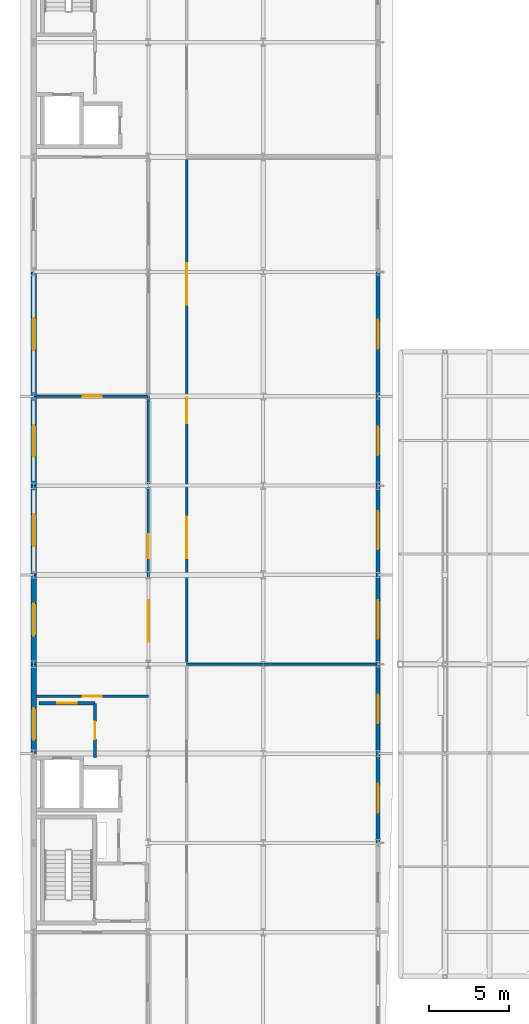
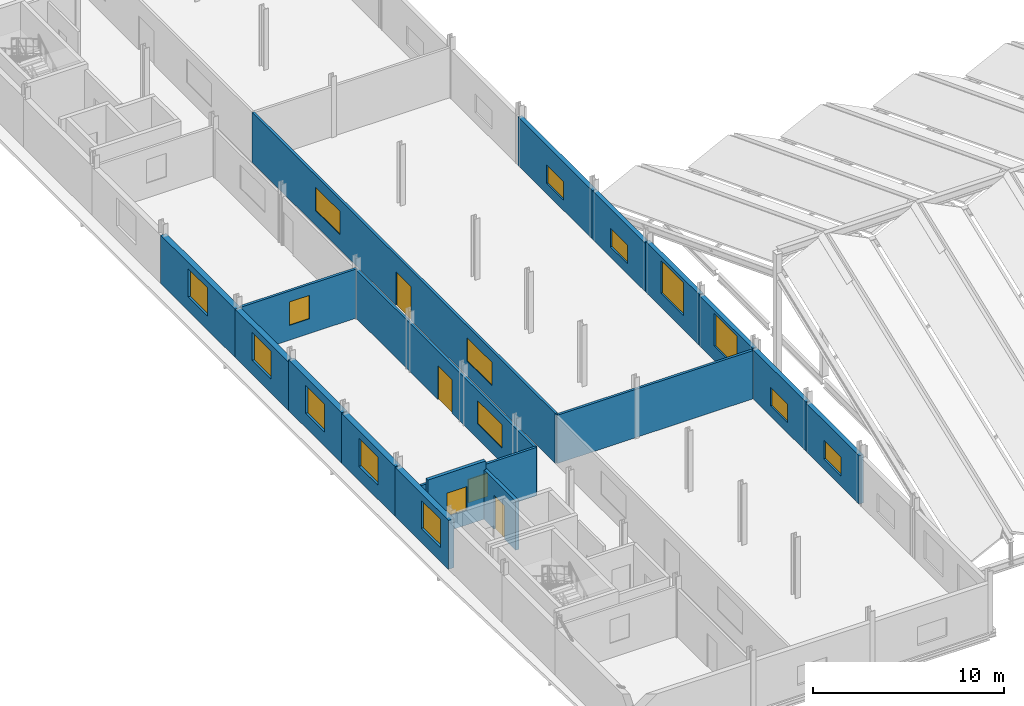
# One storey, part 40 of 49: 18 walls, 17 windows, 3 doors, 20 openings.
"""IFC4 building model written with IfcOpenShell, lengths in metres."""

from ifc_helpers import new_model, si_unit, direction, frame, frame_2d, origin, place, context, subcontext, project, spatial, rectangle, extrude, material, layer, layer_set, type_object, element, fill, save


model = new_model("IFC4")

# Units and contexts
model_context = context("Model", 3, precision=1e-05, world=origin(), true_north=direction((0.0, 1.0)))
body_context = subcontext(model_context, "Body", "Model", "MODEL_VIEW")
ifc_project = project(units=[si_unit("LENGTHUNIT", "METRE"), si_unit("AREAUNIT", "SQUARE_METRE"), si_unit("VOLUMEUNIT", "CUBIC_METRE"), si_unit("PLANEANGLEUNIT", "RADIAN"), si_unit("MASSUNIT", "GRAM", prefix="KILO")], contexts=[model_context])

# Site, building, storey
site_placement = place(None, origin())
site = spatial("IfcSite", under=ifc_project, at=site_placement, CompositionType="ELEMENT")
building_placement = place(site_placement, origin())
building = spatial("IfcBuilding", under=site, at=building_placement, Name="Vinh Khe Railworks Police Headquarters", CompositionType="ELEMENT")
storey_placement = place(building_placement, frame((0.0, 0.0, 17.10009765625)))
storey = spatial("IfcBuildingStorey", under=building, at=storey_placement, Name="L04", CompositionType="ELEMENT", Elevation=17.10009765625)

# Wall, opening, window
ifc_material_1 = material(Name="Clay brickwork", Category="masonry")
ifc_layer_1 = layer(ifc_material_1, 0.260009765625)
ifc_layer_set_1 = layer_set([ifc_layer_1], Name="Clay brickwork")
wall_type_1 = type_object("IfcWallType", Name="EW-BRK-260", PredefinedType="SOLIDWALL", material=ifc_layer_set_1)
wall_1_placement = place(storey_placement, frame((22.199951171875, 30.800048828125, 0.0), z_axis=(0.0, 0.0, 1.0), x_axis=(0.0, 1.0, 0.0)))
wall_1 = element("IfcWall", 1, at=wall_1_placement, inside=storey, type_object=wall_type_1, Name="Exterior Brick Wall EW-L04-V5E-03", PredefinedType="SOLIDWALL", context=body_context, shape_type="SweptSolid", body=[
    extrude(rectangle(XDim=5.599853515625, YDim=0.260009765625, at=frame_2d((2.7998046875, 0.0))), origin(), (0.0, 0.0, 1.0), 3.094970703125),
])
opening_1_placement = place(wall_1_placement, frame((1.89990234375, 0.0, 0.64990234375)))
opening_1 = element("IfcOpeningElement", 2, at=opening_1_placement, cuts=wall_1, Name="Opening WN-08", PredefinedType="OPENING", context=body_context, shape_type="SweptSolid", body=[
    extrude(rectangle(XDim=1.800048828125, YDim=1.199951171875, at=frame_2d((0.89990234375, 0.60009765625))), frame((0.0, 0.14501953125, 0.0), z_axis=(0.0, -1.0, 0.0), x_axis=(1.0, 0.0, 0.0)), (0.0, 0.0, 1.0), 0.289794921875),
])
ifc_material_2 = material(Name="Double-glazed solar-control glass in dark steel frame", Category="steel")
window_type_1 = type_object("IfcWindowType", Name="WIN-WN-08", PartitioningType="SINGLE_PANEL", PredefinedType="WINDOW", material=ifc_material_2)
window_1_placement = place(opening_1_placement, origin())
window_1 = element("IfcWindow", 3, at=window_1_placement, inside=storey, type_object=window_type_1, Name="Casement Window WN-08", OverallHeight=1.199951171875, OverallWidth=1.800048828125, PartitioningType="SINGLE_PANEL", PredefinedType="WINDOW", context=body_context, shape_type="SweptSolid", body=[
    extrude(rectangle(XDim=1.800048828125, YDim=1.199951171875, at=frame_2d((0.89990234375, 0.60009765625))), frame((0.0, 0.030029296875, 0.0), z_axis=(0.0, -1.0, 0.0), x_axis=(1.0, 0.0, 0.0)), (0.0, 0.0, 1.0), 0.06005859375),
])
fill(opening_1, window_1)

wall_2_placement = place(storey_placement, frame((22.199951171875, 36.39990234375, 0.0), z_axis=(0.0, 0.0, 1.0), x_axis=(0.0, 1.0, 0.0)))
wall_2 = element("IfcWall", 4, at=wall_2_placement, inside=storey, type_object=wall_type_1, Name="Exterior Brick Wall EW-L04-V5E-04", PredefinedType="SOLIDWALL", context=body_context, shape_type="SweptSolid", body=[
    extrude(rectangle(XDim=5.60009765625, YDim=0.260009765625, at=frame_2d((2.800048828125, 0.0))), origin(), (0.0, 0.0, 1.0), 3.14501953125),
])
opening_2_placement = place(wall_2_placement, frame((1.89990234375, 0.0, 0.64990234375)))
opening_2 = element("IfcOpeningElement", 5, at=opening_2_placement, cuts=wall_2, Name="Opening WN-08", PredefinedType="OPENING", context=body_context, shape_type="SweptSolid", body=[
    extrude(rectangle(XDim=1.800048828125, YDim=1.199951171875, at=frame_2d((0.89990234375, 0.60009765625))), frame((0.0, 0.14501953125, 0.0), z_axis=(0.0, -1.0, 0.0), x_axis=(1.0, 0.0, 0.0)), (0.0, 0.0, 1.0), 0.289794921875),
])
window_2_placement = place(opening_2_placement, origin())
window_2 = element("IfcWindow", 6, at=window_2_placement, inside=storey, type_object=window_type_1, Name="Casement Window WN-08", OverallHeight=1.199951171875, OverallWidth=1.800048828125, PartitioningType="SINGLE_PANEL", PredefinedType="WINDOW", context=body_context, shape_type="SweptSolid", body=[
    extrude(rectangle(XDim=1.800048828125, YDim=1.199951171875, at=frame_2d((0.89990234375, 0.60009765625))), frame((0.0, 0.030029296875, 0.0), z_axis=(0.0, -1.0, 0.0), x_axis=(1.0, 0.0, 0.0)), (0.0, 0.0, 1.0), 0.06005859375),
])
fill(opening_2, window_2)

wall_3_placement = place(storey_placement, frame((22.199951171875, 42.0, 0.0), z_axis=(0.0, 0.0, 1.0), x_axis=(0.0, 1.0, 0.0)))
wall_3 = element("IfcWall", 7, at=wall_3_placement, inside=storey, type_object=wall_type_1, Name="Exterior Brick Wall EW-L04-V5E-05", PredefinedType="SOLIDWALL", context=body_context, shape_type="SweptSolid", body=[
    extrude(rectangle(XDim=5.60009765625, YDim=0.260009765625, at=frame_2d((2.800048828125, 0.0))), origin(), (0.0, 0.0, 1.0), 3.19482421875),
])
opening_3_placement = place(wall_3_placement, frame((1.60009765625, 0.0, 0.89990234375)))
opening_3 = element("IfcOpeningElement", 8, at=opening_3_placement, cuts=wall_3, Name="Opening WN-02", PredefinedType="OPENING", context=body_context, shape_type="SweptSolid", body=[
    extrude(rectangle(XDim=2.39990234375, YDim=2.10009765625, at=frame_2d((1.199951171875, 1.050048828125))), frame((0.0, 0.14501953125, 0.0), z_axis=(0.0, -1.0, 0.0), x_axis=(1.0, 0.0, 0.0)), (0.0, 0.0, 1.0), 0.289794921875),
])
window_type_2 = type_object("IfcWindowType", Name="WIN-WN-02", PartitioningType="DOUBLE_PANEL_VERTICAL", PredefinedType="WINDOW", material=ifc_material_2)
window_3_placement = place(opening_3_placement, origin())
window_3 = element("IfcWindow", 9, at=window_3_placement, inside=storey, type_object=window_type_2, Name="Casement Window WN-02", OverallHeight=2.10009765625, OverallWidth=2.39990234375, PartitioningType="SINGLE_PANEL", PredefinedType="WINDOW", context=body_context, shape_type="SweptSolid", body=[
    extrude(rectangle(XDim=2.39990234375, YDim=2.10009765625, at=frame_2d((1.199951171875, 1.050048828125))), frame((0.0, 0.030029296875, 0.0), z_axis=(0.0, -1.0, 0.0), x_axis=(1.0, 0.0, 0.0)), (0.0, 0.0, 1.0), 0.06005859375),
])
fill(opening_3, window_3)

wall_4_placement = place(storey_placement, frame((22.199951171875, 47.60009765625, 0.0), z_axis=(0.0, 0.0, 1.0), x_axis=(0.0, 1.0, 0.0)))
wall_4 = element("IfcWall", 10, at=wall_4_placement, inside=storey, type_object=wall_type_1, Name="Exterior Brick Wall EW-L04-V5E-06", PredefinedType="SOLIDWALL", context=body_context, shape_type="SweptSolid", body=[
    extrude(rectangle(XDim=5.599853515625, YDim=0.260009765625, at=frame_2d((2.7998046875, 0.0))), origin(), (0.0, 0.0, 1.0), 3.244873046875),
])
opening_4_placement = place(wall_4_placement, frame((1.60009765625, 0.0, 0.89990234375)))
opening_4 = element("IfcOpeningElement", 11, at=opening_4_placement, cuts=wall_4, Name="Opening WN-02", PredefinedType="OPENING", context=body_context, shape_type="SweptSolid", body=[
    extrude(rectangle(XDim=2.39990234375, YDim=2.10009765625, at=frame_2d((1.199951171875, 1.050048828125))), frame((0.0, 0.14501953125, 0.0), z_axis=(0.0, -1.0, 0.0), x_axis=(1.0, 0.0, 0.0)), (0.0, 0.0, 1.0), 0.289794921875),
])
window_4_placement = place(opening_4_placement, origin())
window_4 = element("IfcWindow", 12, at=window_4_placement, inside=storey, type_object=window_type_2, Name="Casement Window WN-02", OverallHeight=2.10009765625, OverallWidth=2.39990234375, PartitioningType="SINGLE_PANEL", PredefinedType="WINDOW", context=body_context, shape_type="SweptSolid", body=[
    extrude(rectangle(XDim=2.39990234375, YDim=2.10009765625, at=frame_2d((1.199951171875, 1.050048828125))), frame((0.0, 0.030029296875, 0.0), z_axis=(0.0, -1.0, 0.0), x_axis=(1.0, 0.0, 0.0)), (0.0, 0.0, 1.0), 0.06005859375),
])
fill(opening_4, window_4)

wall_5_placement = place(storey_placement, frame((22.199951171875, 53.199951171875, 0.0), z_axis=(0.0, 0.0, 1.0), x_axis=(0.0, 1.0, 0.0)))
wall_5 = element("IfcWall", 13, at=wall_5_placement, inside=storey, type_object=wall_type_1, Name="Exterior Brick Wall EW-L04-V5E-07", PredefinedType="SOLIDWALL", context=body_context, shape_type="SweptSolid", body=[
    extrude(rectangle(XDim=5.60009765625, YDim=0.260009765625, at=frame_2d((2.800048828125, 0.0))), origin(), (0.0, 0.0, 1.0), 3.094970703125),
])
opening_5_placement = place(wall_5_placement, frame((1.89990234375, 0.0, 0.64990234375)))
opening_5 = element("IfcOpeningElement", 14, at=opening_5_placement, cuts=wall_5, Name="Opening WN-08", PredefinedType="OPENING", context=body_context, shape_type="SweptSolid", body=[
    extrude(rectangle(XDim=1.800048828125, YDim=1.199951171875, at=frame_2d((0.89990234375, 0.60009765625))), frame((0.0, 0.14501953125, 0.0), z_axis=(0.0, -1.0, 0.0), x_axis=(1.0, 0.0, 0.0)), (0.0, 0.0, 1.0), 0.289794921875),
])
window_5_placement = place(opening_5_placement, origin())
window_5 = element("IfcWindow", 15, at=window_5_placement, inside=storey, type_object=window_type_1, Name="Casement Window WN-08", OverallHeight=1.199951171875, OverallWidth=1.800048828125, PartitioningType="SINGLE_PANEL", PredefinedType="WINDOW", context=body_context, shape_type="SweptSolid", body=[
    extrude(rectangle(XDim=1.800048828125, YDim=1.199951171875, at=frame_2d((0.89990234375, 0.60009765625))), frame((0.0, 0.030029296875, 0.0), z_axis=(0.0, -1.0, 0.0), x_axis=(1.0, 0.0, 0.0)), (0.0, 0.0, 1.0), 0.06005859375),
])
fill(opening_5, window_5)

wall_6_placement = place(storey_placement, frame((22.199951171875, 58.800048828125, 0.0), z_axis=(0.0, 0.0, 1.0), x_axis=(0.0, 1.0, 0.0)))
wall_6 = element("IfcWall", 16, at=wall_6_placement, inside=storey, type_object=wall_type_1, Name="Exterior Brick Wall EW-L04-V5E-08", PredefinedType="SOLIDWALL", context=body_context, shape_type="SweptSolid", body=[
    extrude(rectangle(XDim=7.800048828125, YDim=0.260009765625, at=frame_2d((3.89990234375, 0.0))), origin(), (0.0, 0.0, 1.0), 3.094970703125),
])
opening_6_placement = place(wall_6_placement, frame((3.0, 0.0, 0.64990234375)))
opening_6 = element("IfcOpeningElement", 17, at=opening_6_placement, cuts=wall_6, Name="Opening WN-08", PredefinedType="OPENING", context=body_context, shape_type="SweptSolid", body=[
    extrude(rectangle(XDim=1.800048828125, YDim=1.199951171875, at=frame_2d((0.89990234375, 0.60009765625))), frame((0.0, 0.14501953125, 0.0), z_axis=(0.0, -1.0, 0.0), x_axis=(1.0, 0.0, 0.0)), (0.0, 0.0, 1.0), 0.289794921875),
])
window_6_placement = place(opening_6_placement, origin())
window_6 = element("IfcWindow", 18, at=window_6_placement, inside=storey, type_object=window_type_1, Name="Casement Window WN-08", OverallHeight=1.199951171875, OverallWidth=1.800048828125, PartitioningType="SINGLE_PANEL", PredefinedType="WINDOW", context=body_context, shape_type="SweptSolid", body=[
    extrude(rectangle(XDim=1.800048828125, YDim=1.199951171875, at=frame_2d((0.89990234375, 0.60009765625))), frame((0.0, 0.030029296875, 0.0), z_axis=(0.0, -1.0, 0.0), x_axis=(1.0, 0.0, 0.0)), (0.0, 0.0, 1.0), 0.06005859375),
])
fill(opening_6, window_6)

ifc_layer_2 = layer(ifc_material_1, 0.340087890625)
ifc_layer_set_2 = layer_set([ifc_layer_2], Name="Clay brickwork")
wall_type_2 = type_object("IfcWallType", Name="EW-BRK-340", PredefinedType="SOLIDWALL", material=ifc_layer_set_2)
wall_7_placement = place(storey_placement, frame((0.60009765625, 36.39990234375, 0.0), z_axis=(0.0, 0.0, 1.0), x_axis=(0.0, 1.0, 0.0)))
wall_7 = element("IfcWall", 19, at=wall_7_placement, inside=storey, type_object=wall_type_2, Name="Exterior Brick Wall EW-L04-V5W-04", PredefinedType="SOLIDWALL", context=body_context, shape_type="SweptSolid", body=[
    extrude(rectangle(XDim=5.60009765625, YDim=0.340087890625, at=frame_2d((2.800048828125, 0.0))), origin(), (0.0, 0.0, 1.0), 3.14501953125),
])
opening_7_placement = place(wall_7_placement, frame((0.85009765625, 0.0, 0.89990234375)))
opening_7 = element("IfcOpeningElement", 20, at=opening_7_placement, cuts=wall_7, Name="Opening WN-04", PredefinedType="OPENING", context=body_context, shape_type="SweptSolid", body=[
    extrude(rectangle(XDim=2.0, YDim=1.800048828125, at=frame_2d((1.0, 0.89990234375))), frame((0.0, 0.18505859375, 0.0), z_axis=(0.0, -1.0, 0.0), x_axis=(1.0, 0.0, 0.0)), (0.0, 0.0, 1.0), 0.369873046875),
])
window_type_3 = type_object("IfcWindowType", Name="WIN-WN-04", PartitioningType="DOUBLE_PANEL_VERTICAL", PredefinedType="WINDOW", material=ifc_material_2)
window_7_placement = place(opening_7_placement, origin())
window_7 = element("IfcWindow", 21, at=window_7_placement, inside=storey, type_object=window_type_3, Name="Casement Window WN-04", OverallHeight=1.800048828125, OverallWidth=2.0, PartitioningType="SINGLE_PANEL", PredefinedType="WINDOW", context=body_context, shape_type="SweptSolid", body=[
    extrude(rectangle(XDim=2.0, YDim=1.800048828125, at=frame_2d((1.0, 0.89990234375))), frame((0.0, 0.030029296875, 0.0), z_axis=(0.0, -1.0, 0.0), x_axis=(1.0, 0.0, 0.0)), (0.0, 0.0, 1.0), 0.06005859375),
])
fill(opening_7, window_7)

wall_8_placement = place(storey_placement, frame((0.60009765625, 42.0, 0.0), z_axis=(0.0, 0.0, 1.0), x_axis=(0.0, 1.0, 0.0)))
wall_8 = element("IfcWall", 22, at=wall_8_placement, inside=storey, type_object=wall_type_2, Name="Exterior Brick Wall EW-L04-V5W-05", PredefinedType="SOLIDWALL", context=body_context, shape_type="SweptSolid", body=[
    extrude(rectangle(XDim=5.60009765625, YDim=0.340087890625, at=frame_2d((2.800048828125, 0.0))), origin(), (0.0, 0.0, 1.0), 3.19482421875),
])
opening_8_placement = place(wall_8_placement, frame((1.800048828125, 0.0, 0.89990234375)))
opening_8 = element("IfcOpeningElement", 23, at=opening_8_placement, cuts=wall_8, Name="Opening WN-04", PredefinedType="OPENING", context=body_context, shape_type="SweptSolid", body=[
    extrude(rectangle(XDim=2.0, YDim=1.800048828125, at=frame_2d((1.0, 0.89990234375))), frame((0.0, 0.18505859375, 0.0), z_axis=(0.0, -1.0, 0.0), x_axis=(1.0, 0.0, 0.0)), (0.0, 0.0, 1.0), 0.369873046875),
])
window_8_placement = place(opening_8_placement, origin())
window_8 = element("IfcWindow", 24, at=window_8_placement, inside=storey, type_object=window_type_3, Name="Casement Window WN-04", OverallHeight=1.800048828125, OverallWidth=2.0, PartitioningType="SINGLE_PANEL", PredefinedType="WINDOW", context=body_context, shape_type="SweptSolid", body=[
    extrude(rectangle(XDim=2.0, YDim=1.800048828125, at=frame_2d((1.0, 0.89990234375))), frame((0.0, 0.030029296875, 0.0), z_axis=(0.0, -1.0, 0.0), x_axis=(1.0, 0.0, 0.0)), (0.0, 0.0, 1.0), 0.06005859375),
])
fill(opening_8, window_8)

wall_9_placement = place(storey_placement, frame((0.60009765625, 47.60009765625, 0.0), z_axis=(0.0, 0.0, 1.0), x_axis=(0.0, 1.0, 0.0)))
wall_9 = element("IfcWall", 25, at=wall_9_placement, inside=storey, type_object=wall_type_2, Name="Exterior Brick Wall EW-L04-V5W-06", PredefinedType="SOLIDWALL", context=body_context, shape_type="SweptSolid", body=[
    extrude(rectangle(XDim=5.599853515625, YDim=0.340087890625, at=frame_2d((2.7998046875, 0.0))), origin(), (0.0, 0.0, 1.0), 3.244873046875),
])
opening_9_placement = place(wall_9_placement, frame((1.800048828125, 0.0, 0.89990234375)))
opening_9 = element("IfcOpeningElement", 26, at=opening_9_placement, cuts=wall_9, Name="Opening WN-04", PredefinedType="OPENING", context=body_context, shape_type="SweptSolid", body=[
    extrude(rectangle(XDim=2.0, YDim=1.800048828125, at=frame_2d((1.0, 0.89990234375))), frame((0.0, 0.18505859375, 0.0), z_axis=(0.0, -1.0, 0.0), x_axis=(1.0, 0.0, 0.0)), (0.0, 0.0, 1.0), 0.369873046875),
])
window_9_placement = place(opening_9_placement, origin())
window_9 = element("IfcWindow", 27, at=window_9_placement, inside=storey, type_object=window_type_3, Name="Casement Window WN-04", OverallHeight=1.800048828125, OverallWidth=2.0, PartitioningType="SINGLE_PANEL", PredefinedType="WINDOW", context=body_context, shape_type="SweptSolid", body=[
    extrude(rectangle(XDim=2.0, YDim=1.800048828125, at=frame_2d((1.0, 0.89990234375))), frame((0.0, 0.030029296875, 0.0), z_axis=(0.0, -1.0, 0.0), x_axis=(1.0, 0.0, 0.0)), (0.0, 0.0, 1.0), 0.06005859375),
])
fill(opening_9, window_9)

wall_10_placement = place(storey_placement, frame((0.60009765625, 53.199951171875, 0.0), z_axis=(0.0, 0.0, 1.0), x_axis=(0.0, 1.0, 0.0)))
wall_10 = element("IfcWall", 28, at=wall_10_placement, inside=storey, type_object=wall_type_2, Name="Exterior Brick Wall EW-L04-V5W-07", PredefinedType="SOLIDWALL", context=body_context, shape_type="SweptSolid", body=[
    extrude(rectangle(XDim=5.60009765625, YDim=0.340087890625, at=frame_2d((2.800048828125, 0.0))), origin(), (0.0, 0.0, 1.0), 3.094970703125),
])
opening_10_placement = place(wall_10_placement, frame((1.800048828125, 0.0, 0.89990234375)))
opening_10 = element("IfcOpeningElement", 29, at=opening_10_placement, cuts=wall_10, Name="Opening WN-04", PredefinedType="OPENING", context=body_context, shape_type="SweptSolid", body=[
    extrude(rectangle(XDim=2.0, YDim=1.800048828125, at=frame_2d((1.0, 0.89990234375))), frame((0.0, 0.18505859375, 0.0), z_axis=(0.0, -1.0, 0.0), x_axis=(1.0, 0.0, 0.0)), (0.0, 0.0, 1.0), 0.369873046875),
])
window_10_placement = place(opening_10_placement, origin())
window_10 = element("IfcWindow", 30, at=window_10_placement, inside=storey, type_object=window_type_3, Name="Casement Window WN-04", OverallHeight=1.800048828125, OverallWidth=2.0, PartitioningType="SINGLE_PANEL", PredefinedType="WINDOW", context=body_context, shape_type="SweptSolid", body=[
    extrude(rectangle(XDim=2.0, YDim=1.800048828125, at=frame_2d((1.0, 0.89990234375))), frame((0.0, 0.030029296875, 0.0), z_axis=(0.0, -1.0, 0.0), x_axis=(1.0, 0.0, 0.0)), (0.0, 0.0, 1.0), 0.06005859375),
])
fill(opening_10, window_10)

wall_11_placement = place(storey_placement, frame((0.60009765625, 58.800048828125, 0.0), z_axis=(0.0, 0.0, 1.0), x_axis=(0.0, 1.0, 0.0)))
wall_11 = element("IfcWall", 31, at=wall_11_placement, inside=storey, type_object=wall_type_2, Name="Exterior Brick Wall EW-L04-V5W-08", PredefinedType="SOLIDWALL", context=body_context, shape_type="SweptSolid", body=[
    extrude(rectangle(XDim=7.800048828125, YDim=0.340087890625, at=frame_2d((3.89990234375, 0.0))), origin(), (0.0, 0.0, 1.0), 3.094970703125),
])
opening_11_placement = place(wall_11_placement, frame((2.89990234375, 0.0, 0.89990234375)))
opening_11 = element("IfcOpeningElement", 32, at=opening_11_placement, cuts=wall_11, Name="Opening WN-04", PredefinedType="OPENING", context=body_context, shape_type="SweptSolid", body=[
    extrude(rectangle(XDim=2.0, YDim=1.800048828125, at=frame_2d((1.0, 0.89990234375))), frame((0.0, 0.18505859375, 0.0), z_axis=(0.0, -1.0, 0.0), x_axis=(1.0, 0.0, 0.0)), (0.0, 0.0, 1.0), 0.369873046875),
])
window_11_placement = place(opening_11_placement, origin())
window_11 = element("IfcWindow", 33, at=window_11_placement, inside=storey, type_object=window_type_3, Name="Casement Window WN-04", OverallHeight=1.800048828125, OverallWidth=2.0, PartitioningType="SINGLE_PANEL", PredefinedType="WINDOW", context=body_context, shape_type="SweptSolid", body=[
    extrude(rectangle(XDim=2.0, YDim=1.800048828125, at=frame_2d((1.0, 0.89990234375))), frame((0.0, 0.030029296875, 0.0), z_axis=(0.0, -1.0, 0.0), x_axis=(1.0, 0.0, 0.0)), (0.0, 0.0, 1.0), 0.06005859375),
])
fill(opening_11, window_11)

ifc_material_3 = material(Name="Autoclaved aerated concrete blockwork", Category="masonry")
ifc_layer_3 = layer(ifc_material_3, 0.199951171875)
ifc_layer_set_3 = layer_set([ifc_layer_3], Name="Autoclaved aerated concrete blockwork")
wall_type_3 = type_object("IfcWallType", Name="IW-BLK-200", PredefinedType="PARTITIONING", material=ifc_layer_set_3)
wall_12_placement = place(storey_placement, frame((0.949951171875, 39.550048828125, 0.0), z_axis=(0.0, 0.0, 1.0), x_axis=(1.0, 0.0, 0.0)))
wall_12 = element("IfcWall", 34, at=wall_12_placement, inside=storey, type_object=wall_type_3, Name="Interior Partition W-FFL-C1-N-L04", PredefinedType="PARTITIONING", context=body_context, shape_type="SweptSolid", body=[
    extrude(rectangle(XDim=3.5, YDim=0.199951171875, at=frame_2d((1.75, 0.0))), origin(), (0.0, 0.0, 1.0), 3.69482421875),
])
opening_12_placement = place(wall_12_placement, frame((1.14990234375, 0.0, 0.949951171875)))
opening_12 = element("IfcOpeningElement", 35, at=opening_12_placement, cuts=wall_12, Name="Opening WN-10", PredefinedType="OPENING", context=body_context, shape_type="SweptSolid", body=[
    extrude(rectangle(XDim=1.199951171875, YDim=1.5, at=frame_2d((0.60009765625, 0.75))), frame((0.0, 0.11474609375, 0.0), z_axis=(0.0, -1.0, 0.0), x_axis=(1.0, 0.0, 0.0)), (0.0, 0.0, 1.0), 0.229736328125),
])
window_type_4 = type_object("IfcWindowType", Name="WIN-WN-10", PartitioningType="SINGLE_PANEL", PredefinedType="WINDOW", material=ifc_material_2)
window_12_placement = place(opening_12_placement, origin())
window_12 = element("IfcWindow", 36, at=window_12_placement, inside=storey, type_object=window_type_4, Name="Interior Acoustic Vision Window WN-10", OverallHeight=1.5, OverallWidth=1.199951171875, PartitioningType="SINGLE_PANEL", PredefinedType="WINDOW", context=body_context, shape_type="SweptSolid", body=[
    extrude(rectangle(XDim=1.199951171875, YDim=1.5, at=frame_2d((0.60009765625, 0.75))), frame((0.0, 0.030029296875, 0.0), z_axis=(0.0, -1.0, 0.0), x_axis=(1.0, 0.0, 0.0)), (0.0, 0.0, 1.0), 0.06005859375),
])
fill(opening_12, window_12)

# Wall, opening, door
wall_13_placement = place(storey_placement, frame((4.449951171875, 36.14990234375, 0.0), z_axis=(0.0, 0.0, 1.0), x_axis=(0.0, 1.0, 0.0)))
wall_13 = element("IfcWall", 37, at=wall_13_placement, inside=storey, type_object=wall_type_3, Name="Interior Partition W-FFL-C1-E-L04", PredefinedType="PARTITIONING", context=body_context, shape_type="SweptSolid", body=[
    extrude(rectangle(XDim=3.400146484375, YDim=0.199951171875, at=frame_2d((1.7001953125, 0.0))), origin(), (0.0, 0.0, 1.0), 3.14501953125),
])
opening_13_placement = place(wall_13_placement, frame((1.14990234375, 0.0, 0.0)))
opening_13 = element("IfcOpeningElement", 38, at=opening_13_placement, cuts=wall_13, Name="Opening FD-01", PredefinedType="OPENING", context=body_context, shape_type="SweptSolid", body=[
    extrude(rectangle(XDim=1.10009765625, YDim=2.14990234375, at=frame_2d((0.550048828125, 1.074951171875))), frame((0.0, 0.11474609375, 0.0), z_axis=(0.0, -1.0, 0.0), x_axis=(1.0, 0.0, 0.0)), (0.0, 0.0, 1.0), 0.229736328125),
])
ifc_material_4 = material(Name="Painted galvanised steel", Category="steel")
door_type_1 = type_object("IfcDoorType", Name="FD-1100x2150", OperationType="NOTDEFINED", PredefinedType="DOOR", material=ifc_material_4)
door_1_placement = place(opening_13_placement, origin())
door_1 = element("IfcDoor", 39, at=door_1_placement, inside=storey, type_object=door_type_1, Name="Firefighting Lobby Exit Door", OperationType="SINGLE_SWING_RIGHT", OverallHeight=2.14990234375, OverallWidth=1.10009765625, PredefinedType="DOOR", context=body_context, shape_type="SweptSolid", body=[
    extrude(rectangle(XDim=1.10009765625, YDim=2.14990234375, at=frame_2d((0.550048828125, 1.074951171875))), frame((0.0, 0.02490234375, 0.0), z_axis=(0.0, -1.0, 0.0), x_axis=(1.0, 0.0, 0.0)), (0.0, 0.0, 1.0), 0.050048828125),
])
fill(opening_13, door_1)

# Wall, opening, window
ifc_material_5 = material(Name="Gypsum plasterboard on steel stud", Category="steel")
ifc_layer_4 = layer(ifc_material_5, 0.1201171875)
ifc_layer_set_4 = layer_set([ifc_layer_4], Name="Gypsum plasterboard on steel stud")
wall_type_4 = type_object("IfcWallType", Name="IW-PART-120", PredefinedType="PARTITIONING", material=ifc_layer_set_4)
wall_14_placement = place(storey_placement, frame((0.780029296875, 40.0, 0.0), z_axis=(0.0, 0.0, 1.0), x_axis=(1.0, 0.0, 0.0)))
wall_14 = element("IfcWall", 40, at=wall_14_placement, inside=storey, type_object=wall_type_4, Name="Interior Partition W-L04-V5-KIT4-DIV", PredefinedType="PARTITIONING", context=body_context, shape_type="SweptSolid", body=[
    extrude(rectangle(XDim=7.02001953125, YDim=0.14990234375, at=frame_2d((3.510009765625, 0.0))), origin(), (0.0, 0.0, 1.0), 3.094970703125),
])
opening_14_placement = place(wall_14_placement, frame((2.909912109375, 0.0, 0.949951171875)))
opening_14 = element("IfcOpeningElement", 41, at=opening_14_placement, cuts=wall_14, Name="Opening WN-10", PredefinedType="OPENING", context=body_context, shape_type="SweptSolid", body=[
    extrude(rectangle(XDim=1.199951171875, YDim=1.5, at=frame_2d((0.60009765625, 0.75))), frame((0.0, 0.08984375, 0.0), z_axis=(0.0, -1.0, 0.0), x_axis=(1.0, 0.0, 0.0)), (0.0, 0.0, 1.0), 0.1796875),
])
window_13_placement = place(opening_14_placement, origin())
window_13 = element("IfcWindow", 42, at=window_13_placement, inside=storey, type_object=window_type_4, Name="Interior Acoustic Vision Window WN-10", OverallHeight=1.5, OverallWidth=1.199951171875, PartitioningType="SINGLE_PANEL", PredefinedType="WINDOW", context=body_context, shape_type="SweptSolid", body=[
    extrude(rectangle(XDim=1.199951171875, YDim=1.5, at=frame_2d((0.60009765625, 0.75))), frame((0.0, 0.030029296875, 0.0), z_axis=(0.0, -1.0, 0.0), x_axis=(1.0, 0.0, 0.0)), (0.0, 0.0, 1.0), 0.06005859375),
])
fill(opening_14, window_13)

wall_15_placement = place(storey_placement, frame((0.780029296875, 58.800048828125, 0.0), z_axis=(0.0, 0.0, 1.0), x_axis=(1.0, 0.0, 0.0)))
wall_15 = element("IfcWall", 43, at=wall_15_placement, inside=storey, type_object=wall_type_4, Name="Interior Partition W-L04-V5-LIB4-DIV", PredefinedType="PARTITIONING", context=body_context, shape_type="SweptSolid", body=[
    extrude(rectangle(XDim=7.02001953125, YDim=0.14990234375, at=frame_2d((3.510009765625, 0.0))), origin(), (0.0, 0.0, 1.0), 3.14501953125),
])
opening_15_placement = place(wall_15_placement, frame((2.909912109375, 0.0, 0.949951171875)))
opening_15 = element("IfcOpeningElement", 44, at=opening_15_placement, cuts=wall_15, Name="Opening WN-10", PredefinedType="OPENING", context=body_context, shape_type="SweptSolid", body=[
    extrude(rectangle(XDim=1.199951171875, YDim=1.5, at=frame_2d((0.60009765625, 0.75))), frame((0.0, 0.08984375, 0.0), z_axis=(0.0, -1.0, 0.0), x_axis=(1.0, 0.0, 0.0)), (0.0, 0.0, 1.0), 0.1796875),
])
window_14_placement = place(opening_15_placement, origin())
window_14 = element("IfcWindow", 45, at=window_14_placement, inside=storey, type_object=window_type_4, Name="Interior Acoustic Vision Window WN-10", OverallHeight=1.5, OverallWidth=1.199951171875, PartitioningType="SINGLE_PANEL", PredefinedType="WINDOW", context=body_context, shape_type="SweptSolid", body=[
    extrude(rectangle(XDim=1.199951171875, YDim=1.5, at=frame_2d((0.60009765625, 0.75))), frame((0.0, 0.030029296875, 0.0), z_axis=(0.0, -1.0, 0.0), x_axis=(1.0, 0.0, 0.0)), (0.0, 0.0, 1.0), 0.06005859375),
])
fill(opening_15, window_14)

# Wall
wall_16_placement = place(storey_placement, frame((10.199951171875, 42.0, 0.0), z_axis=(0.0, 0.0, 1.0), x_axis=(1.0, 0.0, 0.0)))
element("IfcWall", 46, at=wall_16_placement, inside=storey, type_object=wall_type_4, Name="Interior Partition W-L04-V5-CANT-DIV", PredefinedType="PARTITIONING", context=body_context, shape_type="SweptSolid", body=[
    extrude(rectangle(XDim=11.860107421875, YDim=0.14990234375, at=frame_2d((5.93017578125, 0.0))), origin(), (0.0, 0.0, 1.0), 3.094970703125),
])

# Wall, openings, door, window
ifc_material_6 = material(Name="Gypsum plasterboard on acoustic steel stud", Category="steel")
ifc_layer_5 = layer(ifc_material_6, 0.14990234375)
ifc_layer_set_5 = layer_set([ifc_layer_5], Name="Gypsum plasterboard on acoustic steel stud")
wall_type_5 = type_object("IfcWallType", Name="IW-PART-150", PredefinedType="PARTITIONING", material=ifc_layer_set_5)
wall_17_placement = place(storey_placement, frame((7.800048828125, 40.0, 0.0), z_axis=(0.0, 0.0, 1.0), x_axis=(0.0, 1.0, 0.0)))
wall_17 = element("IfcWall", 47, at=wall_17_placement, inside=storey, type_object=wall_type_5, Name="Interior Partition W-L04-V5-KIT4-CW", PredefinedType="PARTITIONING", context=body_context, shape_type="SweptSolid", body=[
    extrude(rectangle(XDim=18.800048828125, YDim=0.14990234375, at=frame_2d((9.39990234375, 0.0))), origin(), (0.0, 0.0, 1.0), 3.094970703125),
])
opening_16_placement = place(wall_17_placement, frame((8.64990234375, 0.0, 0.0)))
opening_16 = element("IfcOpeningElement", 48, at=opening_16_placement, cuts=wall_17, Name="Opening FD-02", PredefinedType="OPENING", context=body_context, shape_type="SweptSolid", body=[
    extrude(rectangle(XDim=1.5, YDim=2.14990234375, at=frame_2d((0.75, 1.074951171875))), frame((0.0, 0.08984375, 0.0), z_axis=(0.0, -1.0, 0.0), x_axis=(1.0, 0.0, 0.0)), (0.0, 0.0, 1.0), 0.1796875),
])
opening_17_placement = place(wall_17_placement, frame((3.39990234375, 0.0, 0.949951171875)))
opening_17 = element("IfcOpeningElement", 49, at=opening_17_placement, cuts=wall_17, Name="Opening WN-07", PredefinedType="OPENING", context=body_context, shape_type="SweptSolid", body=[
    extrude(rectangle(XDim=2.60009765625, YDim=1.5, at=frame_2d((1.300048828125, 0.75))), frame((0.0, 0.08984375, 0.0), z_axis=(0.0, -1.0, 0.0), x_axis=(1.0, 0.0, 0.0)), (0.0, 0.0, 1.0), 0.1796875),
])
door_type_2 = type_object("IfcDoorType", Name="FD-1500x2150", OperationType="DOUBLE_DOOR_SINGLE_SWING", PredefinedType="DOOR", material=ifc_material_4)
door_2_placement = place(opening_16_placement, origin())
door_2 = element("IfcDoor", 50, at=door_2_placement, inside=storey, type_object=door_type_2, Name="Staff Canteen Servery Kitchen Door", OperationType="DOUBLE_DOOR_SINGLE_SWING", OverallHeight=2.14990234375, OverallWidth=1.5, PredefinedType="DOOR", context=body_context, shape_type="SweptSolid", body=[
    extrude(rectangle(XDim=1.5, YDim=2.14990234375, at=frame_2d((0.75, 1.074951171875))), frame((0.0, 0.02490234375, 0.0), z_axis=(0.0, -1.0, 0.0), x_axis=(1.0, 0.0, 0.0)), (0.0, 0.0, 1.0), 0.050048828125),
])
fill(opening_16, door_2)
window_type_5 = type_object("IfcWindowType", Name="WIN-WN-07", PartitioningType="DOUBLE_PANEL_HORIZONTAL", PredefinedType="WINDOW", material=ifc_material_2)
window_15_placement = place(opening_17_placement, origin())
window_15 = element("IfcWindow", 51, at=window_15_placement, inside=storey, type_object=window_type_5, Name="Interior Acoustic Vision Window WN-07", OverallHeight=1.5, OverallWidth=2.60009765625, PartitioningType="SINGLE_PANEL", PredefinedType="WINDOW", context=body_context, shape_type="SweptSolid", body=[
    extrude(rectangle(XDim=2.60009765625, YDim=1.5, at=frame_2d((1.300048828125, 0.75))), frame((0.0, 0.030029296875, 0.0), z_axis=(0.0, -1.0, 0.0), x_axis=(1.0, 0.0, 0.0)), (0.0, 0.0, 1.0), 0.06005859375),
])
fill(opening_17, window_15)

# Wall, openings, door, windows
wall_18_placement = place(storey_placement, frame((10.199951171875, 42.0, 0.0), z_axis=(0.0, 0.0, 1.0), x_axis=(0.0, 1.0, 0.0)))
wall_18 = element("IfcWall", 52, at=wall_18_placement, inside=storey, type_object=wall_type_5, Name="Interior Partition W-L04-V5-CANT-CE", PredefinedType="PARTITIONING", context=body_context, shape_type="SweptSolid", body=[
    extrude(rectangle(XDim=31.800048828125, YDim=0.14990234375, at=frame_2d((15.89990234375, 0.0))), origin(), (0.0, 0.0, 1.0), 3.19482421875),
])
opening_18_placement = place(wall_18_placement, frame((15.10009765625, 0.0, 0.0)))
opening_18 = element("IfcOpeningElement", 53, at=opening_18_placement, cuts=wall_18, Name="Opening D-03", PredefinedType="OPENING", context=body_context, shape_type="SweptSolid", body=[
    extrude(rectangle(XDim=1.60009765625, YDim=2.14990234375, at=frame_2d((0.800048828125, 1.074951171875))), frame((0.0, 0.08984375, 0.0), z_axis=(0.0, -1.0, 0.0), x_axis=(1.0, 0.0, 0.0)), (0.0, 0.0, 1.0), 0.1796875),
])
opening_19_placement = place(wall_18_placement, frame((6.64990234375, 0.0, 0.949951171875)))
opening_19 = element("IfcOpeningElement", 54, at=opening_19_placement, cuts=wall_18, Name="Opening WN-07", PredefinedType="OPENING", context=body_context, shape_type="SweptSolid", body=[
    extrude(rectangle(XDim=2.60009765625, YDim=1.5, at=frame_2d((1.300048828125, 0.75))), frame((0.0, 0.08984375, 0.0), z_axis=(0.0, -1.0, 0.0), x_axis=(1.0, 0.0, 0.0)), (0.0, 0.0, 1.0), 0.1796875),
])
opening_20_placement = place(wall_18_placement, frame((22.550048828125, 0.0, 0.949951171875)))
opening_20 = element("IfcOpeningElement", 55, at=opening_20_placement, cuts=wall_18, Name="Opening WN-07", PredefinedType="OPENING", context=body_context, shape_type="SweptSolid", body=[
    extrude(rectangle(XDim=2.60009765625, YDim=1.5, at=frame_2d((1.300048828125, 0.75))), frame((0.0, 0.08984375, 0.0), z_axis=(0.0, -1.0, 0.0), x_axis=(1.0, 0.0, 0.0)), (0.0, 0.0, 1.0), 0.1796875),
])
door_type_3 = type_object("IfcDoorType", Name="ID-1600x2150", OperationType="DOUBLE_DOOR_SINGLE_SWING", PredefinedType="DOOR", material=ifc_material_4)
door_3_placement = place(opening_18_placement, origin())
door_3 = element("IfcDoor", 56, at=door_3_placement, inside=storey, type_object=door_type_3, Name="Staff Canteen and Dining Hall Door", OperationType="DOUBLE_DOOR_SINGLE_SWING", OverallHeight=2.14990234375, OverallWidth=1.60009765625, PredefinedType="DOOR", context=body_context, shape_type="SweptSolid", body=[
    extrude(rectangle(XDim=1.60009765625, YDim=2.14990234375, at=frame_2d((0.800048828125, 1.074951171875))), frame((0.0, 0.02490234375, 0.0), z_axis=(0.0, -1.0, 0.0), x_axis=(1.0, 0.0, 0.0)), (0.0, 0.0, 1.0), 0.050048828125),
])
fill(opening_18, door_3)
window_16_placement = place(opening_19_placement, origin())
window_16 = element("IfcWindow", 57, at=window_16_placement, inside=storey, type_object=window_type_5, Name="Interior Acoustic Vision Window WN-07", OverallHeight=1.5, OverallWidth=2.60009765625, PartitioningType="SINGLE_PANEL", PredefinedType="WINDOW", context=body_context, shape_type="SweptSolid", body=[
    extrude(rectangle(XDim=2.60009765625, YDim=1.5, at=frame_2d((1.300048828125, 0.75))), frame((0.0, 0.030029296875, 0.0), z_axis=(0.0, -1.0, 0.0), x_axis=(1.0, 0.0, 0.0)), (0.0, 0.0, 1.0), 0.06005859375),
])
fill(opening_19, window_16)
window_17_placement = place(opening_20_placement, origin())
window_17 = element("IfcWindow", 58, at=window_17_placement, inside=storey, type_object=window_type_5, Name="Interior Acoustic Vision Window WN-07", OverallHeight=1.5, OverallWidth=2.60009765625, PartitioningType="SINGLE_PANEL", PredefinedType="WINDOW", context=body_context, shape_type="SweptSolid", body=[
    extrude(rectangle(XDim=2.60009765625, YDim=1.5, at=frame_2d((1.300048828125, 0.75))), frame((0.0, 0.030029296875, 0.0), z_axis=(0.0, -1.0, 0.0), x_axis=(1.0, 0.0, 0.0)), (0.0, 0.0, 1.0), 0.06005859375),
])
fill(opening_20, window_17)

save(model, "model.ifc")
